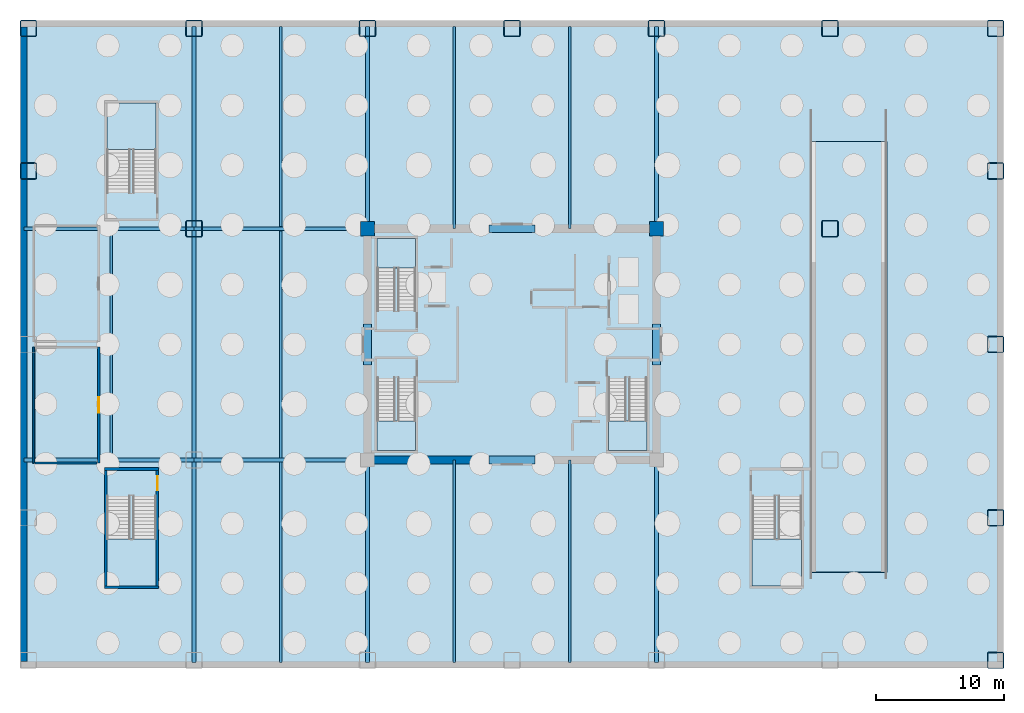
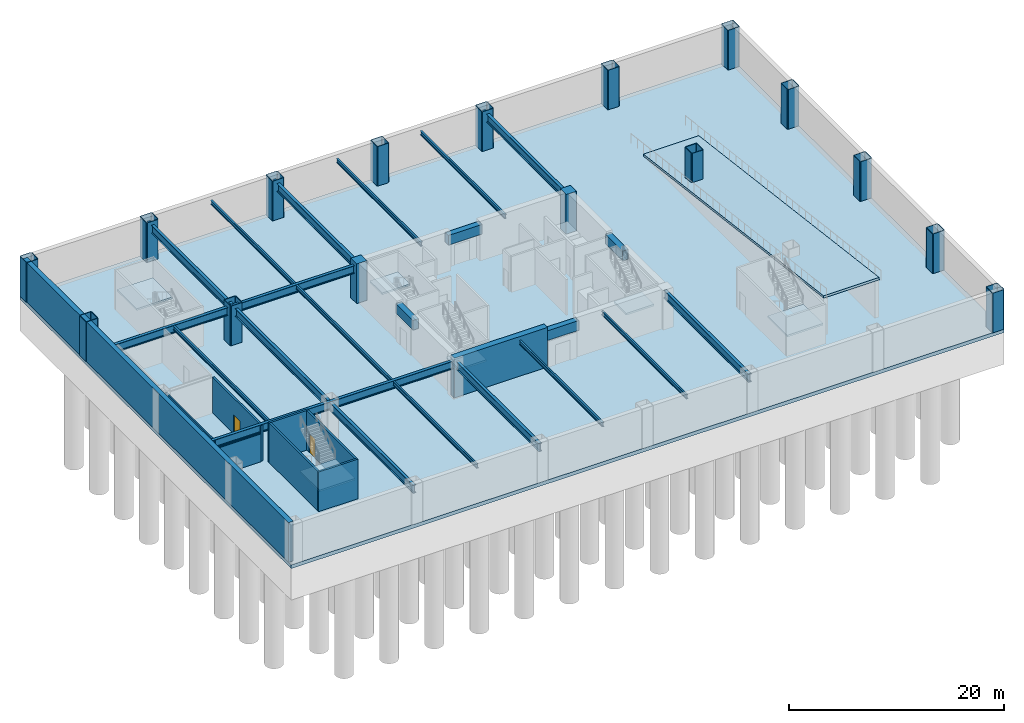
# One storey, part 2 of 11: 23 beams, 16 columns, 9 walls, 8 slabs, 2 doors, 2 openings, 6 elements without a shape of their own.
"""IFC4 building model written with IfcOpenShell, lengths in metres."""

from ifc_helpers import new_model, si_unit, direction, frame, frame_2d, origin, origin_2d, place, context, subcontext, project, spatial, polyline, rectangle, hollow_rectangle, i_section, outline, extrude, source, transform, mapped, material, layer, layer_set, material_profile, profile_set, type_object, element, fill, aggregate, save


model = new_model("IFC4")

# Units and contexts
model_context = context("Model", 3, precision=1e-05, world=origin(), true_north=direction((0.0, 1.0)))
body_context = subcontext(model_context, "Body", "Model", "MODEL_VIEW")
ifc_project = project(units=[si_unit("LENGTHUNIT", "METRE"), si_unit("AREAUNIT", "SQUARE_METRE"), si_unit("VOLUMEUNIT", "CUBIC_METRE"), si_unit("PLANEANGLEUNIT", "RADIAN"), si_unit("MASSUNIT", "GRAM", prefix="KILO")], contexts=[model_context])

# Site, building, storey
site_placement = place(None, origin())
site = spatial("IfcSite", under=ifc_project, at=site_placement, CompositionType="ELEMENT")
building_placement = place(site_placement, origin())
building = spatial("IfcBuilding", under=site, at=building_placement, Name="Nefas-Gora Pilgrimage Tower", CompositionType="ELEMENT")
storey_placement = place(building_placement, frame((0.0, 0.0, -9.0)))
storey = spatial("IfcBuildingStorey", under=building, at=storey_placement, Name="B02", CompositionType="ELEMENT", Elevation=-9.0)

# Columns
ifc_material_1 = material(Name="Steel S460", Category="steel")
ifc_material_profile_1 = material_profile(ifc_material_1, hollow_rectangle(XDim=1.300048828125, YDim=1.300048828125, WallThickness=0.06494140625, InnerFilletRadius=0.06494140625, OuterFilletRadius=0.1298828125, at=origin_2d()), Name="BOX 1300x1300x65")
ifc_profile_set_1 = profile_set([ifc_material_profile_1], Name="Steel S460")
column_type_1 = type_object("IfcColumnType", Name="COL-MEGA-1300E", PredefinedType="COLUMN", material=ifc_profile_set_1)
shared_shape_1 = source(origin(), body_context, "Body", "SweptSolid", [
    extrude(hollow_rectangle(XDim=1.300048828125, YDim=1.300048828125, WallThickness=0.06494140625, InnerFilletRadius=0.06494140625, OuterFilletRadius=0.1298828125, at=origin_2d()), origin(), (0.0, 0.0, 1.0), 4.5),
])
for number, where, z_axis, x_axis, name in (
    (1, (-37.64990234375, 13.5, 0.0), (0.0, 0.0, 1.0), (1.0, 0.0, 0.0), "B02 Mega-Column MC-01E.4"),
    (2, (-37.64990234375, 24.60009765625, 0.0), (0.0, 0.0, 1.0), (1.0, 0.0, 0.0), "B02 Mega-Column MC-01E.5"),
    (3, (-24.75, 24.60009765625, 0.0), (0.0, 0.0, 1.0), (1.0, 0.0, 0.0), "B02 Mega-Column MC-01E.9"),
    (4, (-11.25, 24.60009765625, 0.0), (0.0, 0.0, 1.0), (1.0, 0.0, 0.0), "B02 Mega-Column MC-01E.13"),
    (5, (0.0, 24.60009765625, 0.0), (0.0, 0.0, 1.0), (1.0, 0.0, 0.0), "B02 Mega-Column MC-01E.15"),
    (6, (11.25, 24.60009765625, 0.0), (0.0, 0.0, 1.0), (1.0, 0.0, 0.0), "B02 Mega-Column MC-01E.19"),
    (7, (24.75, 24.60009765625, 0.0), (0.0, 0.0, 1.0), (1.0, 0.0, 0.0), "B02 Mega-Column MC-01E.23"),
    (8, (37.64990234375, -24.60009765625, 0.0), (0.0, 0.0, 1.0), (1.0, 0.0, 0.0), "B02 Mega-Column MC-01E.24"),
    (9, (37.64990234375, -13.5, 0.0), (0.0, 0.0, 1.0), (1.0, 0.0, 0.0), "B02 Mega-Column MC-01E.25"),
    (10, (37.64990234375, 0.0, 0.0), (0.0, 0.0, 1.0), (1.0, 0.0, 0.0), "B02 Mega-Column MC-01E.26"),
    (11, (37.64990234375, 13.5, 0.0), (0.0, 0.0, 1.0), (1.0, 0.0, 0.0), "B02 Mega-Column MC-01E.27"),
    (12, (37.64990234375, 24.60009765625, 0.0), (0.0, 0.0, 1.0), (1.0, 0.0, 0.0), "B02 Mega-Column MC-01E.28"),
):
    element("IfcColumn", number, at=place(storey_placement, frame(where, z_axis=z_axis, x_axis=x_axis)), inside=storey, type_object=column_type_1, Name=name, PredefinedType="COLUMN", context=body_context, shape_type="MappedRepresentation", body=[
        mapped(shared_shape_1, transform((0.0, 0.0, 0.0), x_axis=(1.0, 0.0, 0.0), y_axis=(0.0, 1.0, 0.0), z_axis=(0.0, 0.0, 1.0), scale=1.0)),
    ])
ifc_material_profile_2 = material_profile(ifc_material_1, hollow_rectangle(XDim=1.300048828125, YDim=1.300048828125, WallThickness=0.06494140625, InnerFilletRadius=0.06494140625, OuterFilletRadius=0.1298828125, at=origin_2d()), Name="BOX 1300x1300x65")
ifc_profile_set_2 = profile_set([ifc_material_profile_2], Name="Steel S460")
column_type_2 = type_object("IfcColumnType", Name="COL-MEGA-1300", PredefinedType="COLUMN", material=ifc_profile_set_2)
shared_shape_2 = source(origin(), body_context, "Body", "SweptSolid", [
    extrude(hollow_rectangle(XDim=1.300048828125, YDim=1.300048828125, WallThickness=0.06494140625, InnerFilletRadius=0.06494140625, OuterFilletRadius=0.1298828125, at=origin_2d()), origin(), (0.0, 0.0, 1.0), 4.5),
])
for number, where, z_axis, x_axis, name in (
    (13, (-24.75, 9.0, 0.0), (0.0, 0.0, 1.0), (1.0, 0.0, 0.0), "B02 Mega-Column MC-01.8"),
    (14, (24.75, 9.0, 0.0), (0.0, 0.0, 1.0), (1.0, 0.0, 0.0), "B02 Mega-Column MC-01.22"),
):
    element("IfcColumn", number, at=place(storey_placement, frame(where, z_axis=z_axis, x_axis=x_axis)), inside=storey, type_object=column_type_2, Name=name, PredefinedType="COLUMN", context=body_context, shape_type="MappedRepresentation", body=[
        mapped(shared_shape_2, transform((0.0, 0.0, 0.0), x_axis=(1.0, 0.0, 0.0), y_axis=(0.0, 1.0, 0.0), z_axis=(0.0, 0.0, 1.0), scale=1.0)),
    ])
ifc_material_2 = material(Name="Concrete C60/75", Category="concrete")
ifc_material_profile_3 = material_profile(ifc_material_2, rectangle(XDim=1.10009765625, YDim=1.10009765625, at=origin_2d()), Name="RC 1100x1100")
ifc_profile_set_3 = profile_set([ifc_material_profile_3], Name="Concrete C60/75")
column_type_3 = type_object("IfcColumnType", Name="COL-RC-1100", PredefinedType="COLUMN", material=ifc_profile_set_3)
shared_shape_3 = source(origin(), body_context, "Body", "SweptSolid", [
    extrude(rectangle(XDim=1.10009765625, YDim=1.10009765625, at=origin_2d()), origin(), (0.0, 0.0, 1.0), 4.5),
])
for number, where, z_axis, x_axis, name in (
    (15, (-11.25, 9.0, 0.0), (0.0, 0.0, 1.0), (1.0, 0.0, 0.0), "B02 Mega-Column CRC-01.12"),
    (16, (11.25, 9.0, 0.0), (0.0, 0.0, 1.0), (1.0, 0.0, 0.0), "B02 Mega-Column CRC-01.18"),
):
    element("IfcColumn", number, at=place(storey_placement, frame(where, z_axis=z_axis, x_axis=x_axis)), inside=storey, type_object=column_type_3, Name=name, PredefinedType="COLUMN", context=body_context, shape_type="MappedRepresentation", body=[
        mapped(shared_shape_3, transform((0.0, 0.0, 0.0), x_axis=(1.0, 0.0, 0.0), y_axis=(0.0, 1.0, 0.0), z_axis=(0.0, 0.0, 1.0), scale=1.0)),
    ])

# Beams
ifc_material_profile_4 = material_profile(ifc_material_2, rectangle(XDim=0.60009765625, YDim=1.10009765625, at=origin_2d()), Name="RC 600x1100")
ifc_profile_set_4 = profile_set([ifc_material_profile_4], Name="Concrete C60/75")
beam_type_1 = type_object("IfcBeamType", Name="BM-LIN-RC1100", PredefinedType="LINTEL", material=ifc_profile_set_4)
shared_shape_4 = source(origin(), body_context, "Body", "SweptSolid", [
    extrude(rectangle(XDim=0.60009765625, YDim=1.10009765625, at=origin_2d()), origin(), (0.0, 0.0, 1.0), 3.60009765625),
])
for number, where, z_axis, x_axis, name in (
    (17, (-1.800048828125, 9.0, 3.530029296875), (1.0, 0.0, 0.0), (0.0, 1.0, 0.0), "B02 Core Coupling Lintel Beam N"),
    (18, (-1.800048828125, -9.0, 3.530029296875), (1.0, 0.0, 0.0), (0.0, 1.0, 0.0), "B02 Core Coupling Lintel Beam S"),
):
    element("IfcBeam", number, at=place(storey_placement, frame(where, z_axis=z_axis, x_axis=x_axis)), inside=storey, type_object=beam_type_1, Name=name, PredefinedType="LINTEL", context=body_context, shape_type="MappedRepresentation", body=[
        mapped(shared_shape_4, transform((0.0, 0.0, 0.0), x_axis=(1.0, 0.0, 0.0), y_axis=(0.0, 1.0, 0.0), z_axis=(0.0, 0.0, 1.0), scale=1.0)),
    ])
shared_shape_5 = source(origin(), body_context, "Body", "SweptSolid", [
    extrude(rectangle(XDim=0.60009765625, YDim=1.10009765625, at=origin_2d()), origin(), (0.0, 0.0, 1.0), 3.2001953125),
])
for number, where, z_axis, x_axis, name in (
    (19, (-11.25, -1.60009765625, 3.530029296875), (0.0, 1.0, 0.0), (-1.0, 0.0, 0.0), "B02 Core Coupling Lintel Beam W"),
    (20, (11.25, -1.60009765625, 3.530029296875), (0.0, 1.0, 0.0), (-1.0, 0.0, 0.0), "B02 Core Coupling Lintel Beam E"),
):
    element("IfcBeam", number, at=place(storey_placement, frame(where, z_axis=z_axis, x_axis=x_axis)), inside=storey, type_object=beam_type_1, Name=name, PredefinedType="LINTEL", context=body_context, shape_type="MappedRepresentation", body=[
        mapped(shared_shape_5, transform((0.0, 0.0, 0.0), x_axis=(1.0, 0.0, 0.0), y_axis=(0.0, 1.0, 0.0), z_axis=(0.0, 0.0, 1.0), scale=1.0)),
    ])
ifc_material_profile_5 = material_profile(ifc_material_1, i_section(OverallWidth=0.300048828125, OverallDepth=0.89990234375, WebThickness=0.0185546875, FlangeThickness=0.034912109375, FilletRadius=0.030029296875, at=origin_2d()), Name="HEB 900")
ifc_profile_set_5 = profile_set([ifc_material_profile_5], Name="Steel S460")
beam_type_2 = type_object("IfcBeamType", Name="BM-POD-HEB900", PredefinedType="BEAM", material=ifc_profile_set_5)
shared_shape_6 = source(origin(), body_context, "Body", "SweptSolid", [
    extrude(i_section(OverallWidth=0.300048828125, OverallDepth=0.89990234375, WebThickness=0.0185546875, FlangeThickness=0.034912109375, FilletRadius=0.030029296875, at=origin_2d()), origin(), (0.0, 0.0, 1.0), 13.25),
])
for number, where, z_axis, x_axis, name in (
    (21, (-38.0, -9.0, 3.6298828125), (1.0, 0.0, 0.0), (0.0, 1.0, 0.0), "B02 PG-02 beam"),
    (22, (-38.0, 9.0, 3.6298828125), (1.0, 0.0, 0.0), (0.0, 1.0, 0.0), "B02 PG-02 beam"),
):
    element("IfcBeam", number, at=place(storey_placement, frame(where, z_axis=z_axis, x_axis=x_axis)), inside=storey, type_object=beam_type_2, Name=name, PredefinedType="BEAM", context=body_context, shape_type="MappedRepresentation", body=[
        mapped(shared_shape_6, transform((0.0, 0.0, 0.0), x_axis=(1.0, 0.0, 0.0), y_axis=(0.0, 1.0, 0.0), z_axis=(0.0, 0.0, 1.0), scale=1.0)),
    ])
shared_shape_7 = source(origin(), body_context, "Body", "SweptSolid", [
    extrude(i_section(OverallWidth=0.300048828125, OverallDepth=0.89990234375, WebThickness=0.0185546875, FlangeThickness=0.034912109375, FilletRadius=0.030029296875, at=origin_2d()), origin(), (0.0, 0.0, 1.0), 13.5),
])
for number, where, z_axis, x_axis, name in (
    (23, (-24.75, -9.0, 3.6298828125), (1.0, 0.0, 0.0), (0.0, 1.0, 0.0), "B02 PG-02 beam"),
    (24, (-24.75, 9.0, 3.6298828125), (1.0, 0.0, 0.0), (0.0, 1.0, 0.0), "B02 PG-02 beam"),
):
    element("IfcBeam", number, at=place(storey_placement, frame(where, z_axis=z_axis, x_axis=x_axis)), inside=storey, type_object=beam_type_2, Name=name, PredefinedType="BEAM", context=body_context, shape_type="MappedRepresentation", body=[
        mapped(shared_shape_7, transform((0.0, 0.0, 0.0), x_axis=(1.0, 0.0, 0.0), y_axis=(0.0, 1.0, 0.0), z_axis=(0.0, 0.0, 1.0), scale=1.0)),
    ])
shared_shape_8 = source(origin(), body_context, "Body", "SweptSolid", [
    extrude(i_section(OverallWidth=0.300048828125, OverallDepth=0.89990234375, WebThickness=0.0185546875, FlangeThickness=0.034912109375, FilletRadius=0.030029296875, at=origin_2d()), origin(), (0.0, 0.0, 1.0), 15.75),
])
for number, where, z_axis, x_axis, name in (
    (25, (-24.75, -24.75, 3.6298828125), (0.0, 1.0, 0.0), (-1.0, 0.0, 0.0), "B02 PG-02 beam"),
    (26, (-24.75, 9.0, 3.6298828125), (0.0, 1.0, 0.0), (-1.0, 0.0, 0.0), "B02 PG-02 beam"),
    (27, (-11.25, -24.75, 3.6298828125), (0.0, 1.0, 0.0), (-1.0, 0.0, 0.0), "B02 PG-02 beam"),
    (28, (-11.25, 9.0, 3.6298828125), (0.0, 1.0, 0.0), (-1.0, 0.0, 0.0), "B02 PG-02 beam"),
    (29, (11.25, -24.75, 3.6298828125), (0.0, 1.0, 0.0), (-1.0, 0.0, 0.0), "B02 PG-02 beam"),
    (30, (11.25, 9.0, 3.6298828125), (0.0, 1.0, 0.0), (-1.0, 0.0, 0.0), "B02 PG-02 beam"),
):
    element("IfcBeam", number, at=place(storey_placement, frame(where, z_axis=z_axis, x_axis=x_axis)), inside=storey, type_object=beam_type_2, Name=name, PredefinedType="BEAM", context=body_context, shape_type="MappedRepresentation", body=[
        mapped(shared_shape_8, transform((0.0, 0.0, 0.0), x_axis=(1.0, 0.0, 0.0), y_axis=(0.0, 1.0, 0.0), z_axis=(0.0, 0.0, 1.0), scale=1.0)),
    ])
shared_shape_9 = source(origin(), body_context, "Body", "SweptSolid", [
    extrude(i_section(OverallWidth=0.300048828125, OverallDepth=0.89990234375, WebThickness=0.0185546875, FlangeThickness=0.034912109375, FilletRadius=0.030029296875, at=origin_2d()), origin(), (0.0, 0.0, 1.0), 18.0),
])
beam_placement = place(storey_placement, frame((-24.75, -9.0, 3.6298828125), z_axis=(0.0, 1.0, 0.0), x_axis=(-1.0, 0.0, 0.0)))
element("IfcBeam", 31, at=beam_placement, inside=storey, type_object=beam_type_2, Name="B02 PG-02 beam", PredefinedType="BEAM", context=body_context, shape_type="MappedRepresentation", body=[
    mapped(shared_shape_9, transform((0.0, 0.0, 0.0), x_axis=(1.0, 0.0, 0.0), y_axis=(0.0, 1.0, 0.0), z_axis=(0.0, 0.0, 1.0), scale=1.0)),
])
ifc_material_3 = material(Name="Steel S355", Category="steel")
ifc_material_profile_6 = material_profile(ifc_material_3, i_section(OverallWidth=0.18994140625, OverallDepth=0.449951171875, WebThickness=0.009521484375, FlangeThickness=0.0146484375, FilletRadius=0.02099609375, at=origin_2d()), Name="IPE 450")
ifc_profile_set_6 = profile_set([ifc_material_profile_6], Name="Steel S355")
beam_type_3 = type_object("IfcBeamType", Name="BM-JST-IPE450", PredefinedType="JOIST", material=ifc_profile_set_6)
shared_shape_10 = source(origin(), body_context, "Body", "SweptSolid", [
    extrude(i_section(OverallWidth=0.18994140625, OverallDepth=0.449951171875, WebThickness=0.009521484375, FlangeThickness=0.0146484375, FilletRadius=0.02099609375, at=origin_2d()), origin(), (0.0, 0.0, 1.0), 15.593994140625),
])
for number, where, z_axis, x_axis, name in (
    (32, (-18.0, -24.75, 3.85498046875), (0.0, 1.0, 0.0), (-1.0, 0.0, 0.0), "B02 J-01 beam"),
    (33, (-18.0, 9.156005859375, 3.85498046875), (0.0, 1.0, 0.0), (-1.0, 0.0, 0.0), "B02 J-01 beam"),
):
    element("IfcBeam", number, at=place(storey_placement, frame(where, z_axis=z_axis, x_axis=x_axis)), inside=storey, type_object=beam_type_3, Name=name, PredefinedType="JOIST", context=body_context, shape_type="MappedRepresentation", body=[
        mapped(shared_shape_10, transform((0.0, 0.0, 0.0), x_axis=(1.0, 0.0, 0.0), y_axis=(0.0, 1.0, 0.0), z_axis=(0.0, 0.0, 1.0), scale=1.0)),
    ])
shared_shape_11 = source(origin(), body_context, "Body", "SweptSolid", [
    extrude(i_section(OverallWidth=0.18994140625, OverallDepth=0.449951171875, WebThickness=0.009521484375, FlangeThickness=0.0146484375, FilletRadius=0.02099609375, at=origin_2d()), origin(), (0.0, 0.0, 1.0), 15.75),
])
for number, where, z_axis, x_axis, name in (
    (34, (-4.5, -24.75, 3.85498046875), (0.0, 1.0, 0.0), (-1.0, 0.0, 0.0), "B02 J-01 beam"),
    (35, (-4.5, 9.0, 3.85498046875), (0.0, 1.0, 0.0), (-1.0, 0.0, 0.0), "B02 J-01 beam"),
    (36, (4.5, -24.75, 3.85498046875), (0.0, 1.0, 0.0), (-1.0, 0.0, 0.0), "B02 J-01 beam"),
    (37, (4.5, 9.0, 3.85498046875), (0.0, 1.0, 0.0), (-1.0, 0.0, 0.0), "B02 J-01 beam"),
):
    element("IfcBeam", number, at=place(storey_placement, frame(where, z_axis=z_axis, x_axis=x_axis)), inside=storey, type_object=beam_type_3, Name=name, PredefinedType="JOIST", context=body_context, shape_type="MappedRepresentation", body=[
        mapped(shared_shape_11, transform((0.0, 0.0, 0.0), x_axis=(1.0, 0.0, 0.0), y_axis=(0.0, 1.0, 0.0), z_axis=(0.0, 0.0, 1.0), scale=1.0)),
    ])
shared_shape_12 = source(origin(), body_context, "Body", "SweptSolid", [
    extrude(i_section(OverallWidth=0.18994140625, OverallDepth=0.449951171875, WebThickness=0.009521484375, FlangeThickness=0.0146484375, FilletRadius=0.02099609375, at=origin_2d()), origin(), (0.0, 0.0, 1.0), 17.68798828125),
])
for number, where, z_axis, x_axis, name in (
    (38, (-31.199951171875, -8.843994140625, 3.85498046875), (0.0, 1.0, 0.0), (-1.0, 0.0, 0.0), "B02 J-01 beam"),
    (39, (-18.0, -8.843994140625, 3.85498046875), (0.0, 1.0, 0.0), (-1.0, 0.0, 0.0), "B02 J-01 beam"),
):
    element("IfcBeam", number, at=place(storey_placement, frame(where, z_axis=z_axis, x_axis=x_axis)), inside=storey, type_object=beam_type_3, Name=name, PredefinedType="JOIST", context=body_context, shape_type="MappedRepresentation", body=[
        mapped(shared_shape_12, transform((0.0, 0.0, 0.0), x_axis=(1.0, 0.0, 0.0), y_axis=(0.0, 1.0, 0.0), z_axis=(0.0, 0.0, 1.0), scale=1.0)),
    ])

# Slabs
ifc_material_4 = material(Name="Concrete C50/60", Category="concrete")
ifc_layer_1 = layer(ifc_material_4, 0.419921875)
ifc_layer_set_1 = layer_set([ifc_layer_1], Name="Concrete C50/60")
slab_type_1 = type_object("IfcSlabType", Name="SLB-BASE-420", PredefinedType="BASESLAB", material=ifc_layer_set_1)
slab_1_placement = place(storey_placement, frame((0.0, 0.0, -0.419921875)))
element("IfcSlab", 40, at=slab_1_placement, inside=storey, type_object=slab_type_1, Name="B02 Structural Floor Slab", PredefinedType="BASESLAB", context=body_context, shape_type="SweptSolid", body=[
    extrude(outline(polyline([(38.25, -25.199951171875), (38.25, 25.199951171875), (-38.25, 25.199951171875), (-38.25, -25.199951171875), (38.25, -25.199951171875)])), origin(), (0.0, 0.0, 1.0), 0.419921875),
])
ifc_material_5 = material(Name="Concrete C40/50", Category="concrete")
ifc_layer_2 = layer(ifc_material_5, 0.25)
ifc_layer_set_2 = layer_set([ifc_layer_2], Name="Concrete C40/50")
slab_type_2 = type_object("IfcSlabType", Name="SLB-RMP-250", PredefinedType="FLOOR", material=ifc_layer_set_2)
slab_2_placement = place(storey_placement, frame((23.219970703125, 15.800048828125, 0.258056640625), z_axis=(0.0, 0.125511338495, 0.992092185187), x_axis=(1.0, 0.0, 0.0)))
element("IfcSlab", 41, at=slab_2_placement, inside=storey, type_object=slab_type_2, Name="Car Park Structural Vehicle Ramp Slab VRS-01 (B02-B01)", PredefinedType="FLOOR", context=body_context, shape_type="SweptSolid", body=[
    extrude(outline(polyline([(0.0, 0.0), (5.9599609375, 0.0), (5.9599609375, -33.79729202337728), (0.0, -33.79729202337728), (0.0, 0.0)])), origin(), (0.0, 0.0, -1.0), 0.25),
])

# Stair, slab
ifc_material_6 = material(Name="Concrete C45/55", Category="concrete")
stair_type_1 = type_object("IfcStairType", Name="STR-1400-R1731", PredefinedType="HALF_TURN_STAIR", material=ifc_material_6)
stair_1_placement = place(storey_placement, origin())
stair_1 = element("IfcStair", 42, at=stair_1_placement, inside=storey, type_object=stair_type_1, Name="B02 Pressurised Tower Exit Stair ST-01", PredefinedType="HALF_TURN_STAIR")
ifc_layer_3 = layer(ifc_material_5, 0.199951171875)
ifc_layer_set_3 = layer_set([ifc_layer_3], Name="Concrete C40/50")
slab_type_3 = type_object("IfcSlabType", Name="STR-LAND-200", PredefinedType="LANDING", material=ifc_layer_set_3)
slab_3_placement = place(storey_placement, frame((0.0, 0.0, 2.050048828125)))
slab_3 = element("IfcSlab", 43, at=slab_3_placement, type_object=slab_type_3, Name="ST-01 landing 1", PredefinedType="LANDING", context=body_context, shape_type="SweptSolid", body=[
    extrude(outline(polyline([(-7.5, 5.9599609375), (-7.5, 8.25), (-10.5, 8.25), (-10.5, 5.9599609375), (-7.5, 5.9599609375)])), origin(), (0.0, 0.0, 1.0), 0.199951171875),
])
aggregate(stair_1, [slab_3])

stair_2_placement = place(storey_placement, origin())
stair_2 = element("IfcStair", 44, at=stair_2_placement, inside=storey, type_object=stair_type_1, Name="B02 Pressurised Tower Exit Stair ST-02", PredefinedType="HALF_TURN_STAIR")
slab_4_placement = place(storey_placement, frame((0.0, 0.0, 2.050048828125)))
slab_4 = element("IfcSlab", 45, at=slab_4_placement, type_object=slab_type_3, Name="ST-02 landing 1", PredefinedType="LANDING", context=body_context, shape_type="SweptSolid", body=[
    extrude(outline(polyline([(7.5, -5.9599609375), (7.5, -8.25), (10.5, -8.25), (10.5, -5.9599609375), (7.5, -5.9599609375)])), origin(), (0.0, 0.0, 1.0), 0.199951171875),
])
aggregate(stair_2, [slab_4])

stair_3_placement = place(storey_placement, origin())
stair_3 = element("IfcStair", 46, at=stair_3_placement, inside=storey, type_object=stair_type_1, Name="B02 Pressurised Tower Exit Stair ST-03", PredefinedType="HALF_TURN_STAIR")
slab_5_placement = place(storey_placement, frame((0.0, 0.0, 2.050048828125)))
slab_5 = element("IfcSlab", 47, at=slab_5_placement, type_object=slab_type_3, Name="ST-03 landing 1", PredefinedType="LANDING", context=body_context, shape_type="SweptSolid", body=[
    extrude(outline(polyline([(-10.5, -5.9599609375), (-10.5, -8.25), (-7.5, -8.25), (-7.5, -5.9599609375), (-10.5, -5.9599609375)])), origin(), (0.0, 0.0, 1.0), 0.199951171875),
])
aggregate(stair_3, [slab_5])

stair_type_2 = type_object("IfcStairType", Name="STR-1820-R1731", PredefinedType="HALF_TURN_STAIR", material=ifc_material_6)
stair_4_placement = place(storey_placement, origin())
stair_4 = element("IfcStair", 48, at=stair_4_placement, inside=storey, type_object=stair_type_2, Name="B02 Podium Exit Stair ST-04", PredefinedType="HALF_TURN_STAIR")
slab_6_placement = place(storey_placement, frame((0.0, 0.0, 2.050048828125)))
slab_6 = element("IfcSlab", 49, at=slab_6_placement, type_object=slab_type_3, Name="ST-04 landing 1", PredefinedType="LANDING", context=body_context, shape_type="SweptSolid", body=[
    extrude(outline(polyline([(-27.699951171875, 15.159912109375), (-27.699951171875, 18.800048828125), (-31.5400390625, 18.800048828125), (-31.5400390625, 15.159912109375), (-27.699951171875, 15.159912109375)])), origin(), (0.0, 0.0, 1.0), 0.199951171875),
])
aggregate(stair_4, [slab_6])

stair_5_placement = place(storey_placement, origin())
stair_5 = element("IfcStair", 50, at=stair_5_placement, inside=storey, type_object=stair_type_2, Name="B02 Podium Exit Stair ST-05", PredefinedType="HALF_TURN_STAIR")
slab_7_placement = place(storey_placement, frame((0.0, 0.0, 2.050048828125)))
slab_7 = element("IfcSlab", 51, at=slab_7_placement, type_object=slab_type_3, Name="ST-05 landing 1", PredefinedType="LANDING", context=body_context, shape_type="SweptSolid", body=[
    extrude(outline(polyline([(-31.5400390625, -15.159912109375), (-31.5400390625, -18.800048828125), (-27.699951171875, -18.800048828125), (-27.699951171875, -15.159912109375), (-31.5400390625, -15.159912109375)])), origin(), (0.0, 0.0, 1.0), 0.199951171875),
])
aggregate(stair_5, [slab_7])

stair_6_placement = place(storey_placement, origin())
stair_6 = element("IfcStair", 52, at=stair_6_placement, inside=storey, type_object=stair_type_2, Name="B02 Podium Exit Stair ST-06", PredefinedType="HALF_TURN_STAIR")
slab_8_placement = place(storey_placement, frame((0.0, 0.0, 2.050048828125)))
slab_8 = element("IfcSlab", 53, at=slab_8_placement, type_object=slab_type_3, Name="ST-06 landing 1", PredefinedType="LANDING", context=body_context, shape_type="SweptSolid", body=[
    extrude(outline(polyline([(18.699951171875, -15.159912109375), (18.699951171875, -18.800048828125), (22.5400390625, -18.800048828125), (22.5400390625, -15.159912109375), (18.699951171875, -15.159912109375)])), origin(), (0.0, 0.0, 1.0), 0.199951171875),
])
aggregate(stair_6, [slab_8])

# Walls
ifc_layer_4 = layer(ifc_material_2, 0.64990234375)
ifc_layer_set_4 = layer_set([ifc_layer_4], Name="Concrete C60/75")
wall_type_1 = type_object("IfcWallType", Name="SW-CORE-650", PredefinedType="SHEAR", material=ifc_layer_set_4)
shared_shape_13 = source(origin(), body_context, "Body", "SweptSolid", [
    extrude(rectangle(XDim=10.02490234375, YDim=0.64990234375, at=frame_2d((5.012451171875, 0.0))), origin(), (0.0, 0.0, 1.0), 4.5),
])
wall_1_placement = place(storey_placement, frame((-11.574951171875, -9.0, 0.0), z_axis=(0.0, 0.0, 1.0), x_axis=(1.0, 0.0, 0.0)))
element("IfcWall", 54, at=wall_1_placement, inside=storey, type_object=wall_type_1, Name="B02 Core Shear Wall S-West", PredefinedType="SHEAR", context=body_context, shape_type="MappedRepresentation", body=[
    mapped(shared_shape_13, transform((0.0, 0.0, 0.0), x_axis=(1.0, 0.0, 0.0), y_axis=(0.0, 1.0, 0.0), z_axis=(0.0, 0.0, 1.0), scale=1.0)),
])
ifc_layer_5 = layer(ifc_material_4, 0.5)
ifc_layer_set_5 = layer_set([ifc_layer_5], Name="Concrete C50/60")
wall_type_2 = type_object("IfcWallType", Name="RW-BSMT-500", PredefinedType="SOLIDWALL", material=ifc_layer_set_5)
shared_shape_14 = source(origin(), body_context, "Body", "SweptSolid", [
    extrude(rectangle(XDim=49.39990234375, YDim=0.5, at=frame_2d((24.699951171875, 0.0))), origin(), (0.0, 0.0, 1.0), 4.5),
])
wall_2_placement = place(storey_placement, frame((-38.0, -24.699951171875, 0.0), z_axis=(0.0, 0.0, 1.0), x_axis=(0.0, 1.0, 0.0)))
element("IfcWall", 55, at=wall_2_placement, inside=storey, type_object=wall_type_2, Name="B02 West Retaining Wall", PredefinedType="SOLIDWALL", context=body_context, shape_type="MappedRepresentation", body=[
    mapped(shared_shape_14, transform((0.0, 0.0, 0.0), x_axis=(1.0, 0.0, 0.0), y_axis=(0.0, 1.0, 0.0), z_axis=(0.0, 0.0, 1.0), scale=1.0)),
])
ifc_layer_6 = layer(ifc_material_6, 0.199951171875)
ifc_layer_set_6 = layer_set([ifc_layer_6], Name="Concrete C45/55")
wall_type_3 = type_object("IfcWallType", Name="IW-STAIR-200", PredefinedType="SOLIDWALL", material=ifc_layer_set_6)
shared_shape_15 = source(origin(), body_context, "Body", "SweptSolid", [
    extrude(rectangle(XDim=4.239990234375, YDim=0.199951171875, at=frame_2d((2.1201171875, 0.0))), origin(), (0.0, 0.0, 1.0), 4.5),
])
for number, where, z_axis, x_axis, name in (
    (56, (-31.739990234375, -9.699951171875, 0.0), (0.0, 0.0, 1.0), (1.0, 0.0, 0.0), "B02 Stairwell Shear Wall ST-05-near"),
    (57, (-31.739990234375, -18.89990234375, 0.0), (0.0, 0.0, 1.0), (1.0, 0.0, 0.0), "B02 Stairwell Shear Wall ST-05-far"),
):
    element("IfcWall", number, at=place(storey_placement, frame(where, z_axis=z_axis, x_axis=x_axis)), inside=storey, type_object=wall_type_3, Name=name, PredefinedType="SOLIDWALL", context=body_context, shape_type="MappedRepresentation", body=[
        mapped(shared_shape_15, transform((0.0, 0.0, 0.0), x_axis=(1.0, 0.0, 0.0), y_axis=(0.0, 1.0, 0.0), z_axis=(0.0, 0.0, 1.0), scale=1.0)),
    ])
shared_shape_16 = source(origin(), body_context, "Body", "SweptSolid", [
    extrude(rectangle(XDim=9.0, YDim=0.199951171875, at=frame_2d((4.5, 0.0))), origin(), (0.0, 0.0, 1.0), 4.5),
])
wall_3_placement = place(storey_placement, frame((-31.639892578125, -9.800048828125, 0.0), z_axis=(0.0, 0.0, 1.0), x_axis=(0.0, -1.0, 0.0)))
element("IfcWall", 58, at=wall_3_placement, inside=storey, type_object=wall_type_3, Name="B02 Stairwell Shear Wall ST-05-left", PredefinedType="SOLIDWALL", context=body_context, shape_type="MappedRepresentation", body=[
    mapped(shared_shape_16, transform((0.0, 0.0, 0.0), x_axis=(1.0, 0.0, 0.0), y_axis=(0.0, 1.0, 0.0), z_axis=(0.0, 0.0, 1.0), scale=1.0)),
])

# Wall, opening, door
wall_4_placement = place(storey_placement, frame((-27.60009765625, -9.800048828125, 0.0), z_axis=(0.0, 0.0, 1.0), x_axis=(0.0, -1.0, 0.0)))
wall_4 = element("IfcWall", 59, at=wall_4_placement, inside=storey, type_object=wall_type_3, Name="B02 Stairwell Shear Wall ST-05-right", PredefinedType="SOLIDWALL", context=body_context, shape_type="MappedRepresentation", body=[
    mapped(shared_shape_16, transform((0.0, 0.0, 0.0), x_axis=(1.0, 0.0, 0.0), y_axis=(0.0, 1.0, 0.0), z_axis=(0.0, 0.0, 1.0), scale=1.0)),
])
opening_1_placement = place(wall_4_placement, frame((0.449951171875, 0.0, 0.0)))
opening_1 = element("IfcOpeningElement", 60, at=opening_1_placement, cuts=wall_4, Name="Opening ID-ST1", PredefinedType="OPENING", context=body_context, shape_type="SweptSolid", body=[
    extrude(rectangle(XDim=1.10009765625, YDim=2.14990234375, at=frame_2d((0.550048828125, 1.074951171875))), frame((0.0, 0.10986328125, 0.0), z_axis=(0.0, -1.0, 0.0), x_axis=(1.0, 0.0, 0.0)), (0.0, 0.0, 1.0), 0.219970703125),
])
ifc_material_7 = material(Name="Painted galvanised steel fire stair door", Category="steel")
door_type_1 = type_object("IfcDoorType", Name="DR-INT-STAIR-1100", OperationType="NOTDEFINED", PredefinedType="DOOR", material=ifc_material_7)
shared_shape_17 = source(origin(), body_context, "Body", "SweptSolid", [
    extrude(rectangle(XDim=1.10009765625, YDim=2.14990234375, at=frame_2d((0.550048828125, 1.074951171875))), frame((0.0, 0.02490234375, 0.0), z_axis=(0.0, -1.0, 0.0), x_axis=(1.0, 0.0, 0.0)), (0.0, 0.0, 1.0), 0.050048828125),
])
door_1_placement = place(opening_1_placement, origin())
door_1 = element("IfcDoor", 61, at=door_1_placement, inside=storey, type_object=door_type_1, Name="B02 Protected Exit Stair Door ST-05", OperationType="SINGLE_SWING_RIGHT", OverallHeight=2.14990234375, OverallWidth=1.10009765625, PredefinedType="DOOR", context=body_context, shape_type="MappedRepresentation", body=[
    mapped(shared_shape_17, transform((0.0, 0.0, 0.0), x_axis=(1.0, 0.0, 0.0), y_axis=(0.0, 1.0, 0.0), z_axis=(0.0, 0.0, 1.0), scale=1.0)),
])
fill(opening_1, door_1)

ifc_layer_7 = layer(ifc_material_5, 0.199951171875)
ifc_layer_set_7 = layer_set([ifc_layer_7], Name="Concrete C40/50")
wall_type_4 = type_object("IfcWallType", Name="IW-PLANT-200", PredefinedType="SOLIDWALL", material=ifc_layer_set_7)
shared_shape_18 = source(origin(), body_context, "Body", "SweptSolid", [
    extrude(rectangle(XDim=9.030029296875, YDim=0.199951171875, at=frame_2d((4.51513671875, 0.0))), origin(), (0.0, 0.0, 1.0), 4.06494140625),
])
wall_5_placement = place(storey_placement, frame((-32.169921875, -9.239990234375, 0.0), z_axis=(0.0, 0.0, 1.0), x_axis=(0.0, 1.0, 0.0)))
wall_5 = element("IfcWall", 62, at=wall_5_placement, inside=storey, type_object=wall_type_4, Name="B02 Basement Water Mist Pump Room Partition Wall 21", PredefinedType="SOLIDWALL", context=body_context, shape_type="MappedRepresentation", body=[
    mapped(shared_shape_18, transform((0.0, 0.0, 0.0), x_axis=(1.0, 0.0, 0.0), y_axis=(0.0, 1.0, 0.0), z_axis=(0.0, 0.0, 1.0), scale=1.0)),
])
opening_2_placement = place(wall_5_placement, frame((3.9150390625, 0.0, 0.0)))
opening_2 = element("IfcOpeningElement", 63, at=opening_2_placement, cuts=wall_5, Name="Opening ID-PL1", PredefinedType="OPENING", context=body_context, shape_type="SweptSolid", body=[
    extrude(rectangle(XDim=1.199951171875, YDim=2.14990234375, at=frame_2d((0.60009765625, 1.074951171875))), frame((0.0, 0.10986328125, 0.0), z_axis=(0.0, -1.0, 0.0), x_axis=(1.0, 0.0, 0.0)), (0.0, 0.0, 1.0), 0.219970703125),
])
ifc_material_8 = material(Name="Heavy-duty steel plant room fire door", Category="steel")
door_type_2 = type_object("IfcDoorType", Name="DR-INT-PLANT-1200", OperationType="NOTDEFINED", PredefinedType="DOOR", material=ifc_material_8)
shared_shape_19 = source(origin(), body_context, "Body", "SweptSolid", [
    extrude(rectangle(XDim=1.199951171875, YDim=2.14990234375, at=frame_2d((0.60009765625, 1.074951171875))), frame((0.0, 0.02490234375, 0.0), z_axis=(0.0, -1.0, 0.0), x_axis=(1.0, 0.0, 0.0)), (0.0, 0.0, 1.0), 0.050048828125),
])
door_2_placement = place(opening_2_placement, origin())
door_2 = element("IfcDoor", 64, at=door_2_placement, inside=storey, type_object=door_type_2, Name="B02 Basement Water Mist Pump Room Door 9", OperationType="SINGLE_SWING_RIGHT", OverallHeight=2.14990234375, OverallWidth=1.199951171875, PredefinedType="DOOR", context=body_context, shape_type="MappedRepresentation", body=[
    mapped(shared_shape_19, transform((0.0, 0.0, 0.0), x_axis=(1.0, 0.0, 0.0), y_axis=(0.0, 1.0, 0.0), z_axis=(0.0, 0.0, 1.0), scale=1.0)),
])
fill(opening_2, door_2)

# Walls
ifc_material_9 = material(Name="Gypsum twin-stud partition")
ifc_layer_8 = layer(ifc_material_9, 0.139892578125)
ifc_layer_set_8 = layer_set([ifc_layer_8], Name="Gypsum twin-stud partition")
wall_type_5 = type_object("IfcWallType", Name="IW-UNIT-140", PredefinedType="PARTITIONING", material=ifc_layer_set_8)
shared_shape_20 = source(origin(), body_context, "Body", "SweptSolid", [
    extrude(rectangle(XDim=9.030029296875, YDim=0.139892578125, at=frame_2d((4.51513671875, 0.0))), origin(), (0.0, 0.0, 1.0), 4.06494140625),
])
wall_6_placement = place(storey_placement, frame((-37.22998046875, -9.239990234375, 0.0), z_axis=(0.0, 0.0, 1.0), x_axis=(0.0, 1.0, 0.0)))
element("IfcWall", 65, at=wall_6_placement, inside=storey, type_object=wall_type_5, Name="B02 Basement Water Mist Pump Room Partition Wall 22", PredefinedType="PARTITIONING", context=body_context, shape_type="MappedRepresentation", body=[
    mapped(shared_shape_20, transform((0.0, 0.0, 0.0), x_axis=(1.0, 0.0, 0.0), y_axis=(0.0, 1.0, 0.0), z_axis=(0.0, 0.0, 1.0), scale=1.0)),
])
shared_shape_21 = source(origin(), body_context, "Body", "SweptSolid", [
    extrude(rectangle(XDim=4.81005859375, YDim=0.139892578125, at=frame_2d((2.405029296875, 0.0))), origin(), (0.0, 0.0, 1.0), 3.155029296875),
])
wall_7_placement = place(storey_placement, frame((-37.1201171875, -9.22998046875, 0.0), z_axis=(0.0, 0.0, 1.0), x_axis=(1.0, 0.0, 0.0)))
element("IfcWall", 66, at=wall_7_placement, inside=storey, type_object=wall_type_5, Name="B02 Basement Water Mist Pump Room Partition Wall 23", PredefinedType="PARTITIONING", context=body_context, shape_type="MappedRepresentation", body=[
    mapped(shared_shape_21, transform((0.0, 0.0, 0.0), x_axis=(1.0, 0.0, 0.0), y_axis=(0.0, 1.0, 0.0), z_axis=(0.0, 0.0, 1.0), scale=1.0)),
])

save(model, "model.ifc")
